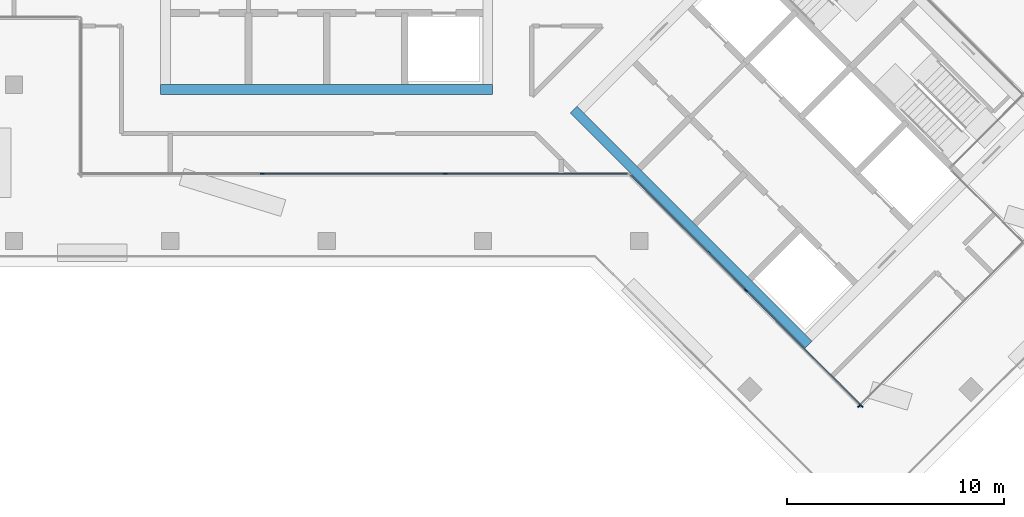
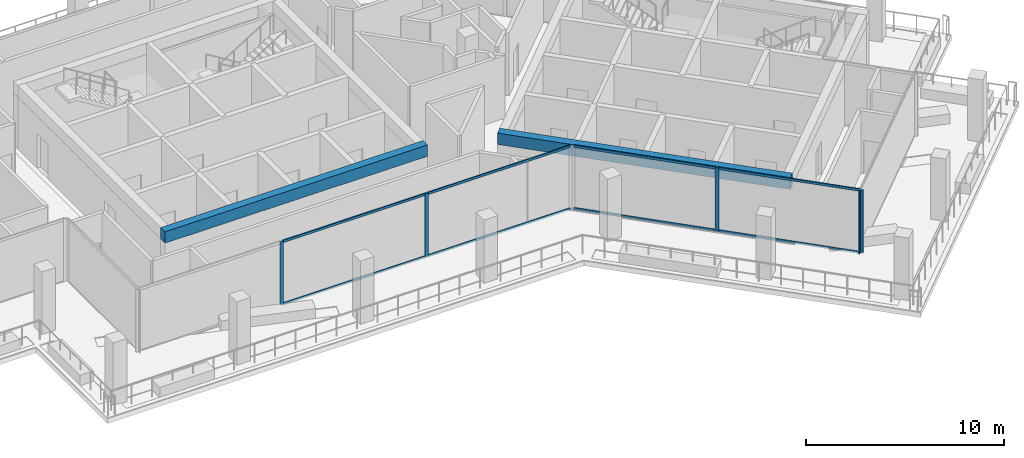
# One storey, part 3 of 20: 13 members, 2 beams, 3 elements without a shape of their own.
"""IFC4 building model written with IfcOpenShell, lengths in metres."""

from ifc_helpers import new_model, si_unit, direction, frame, origin, origin_2d, place, context, subcontext, project, spatial, rectangle, extrude, material, material_profile, profile_set, type_object, element, aggregate, save


model = new_model("IFC4")

# Units and contexts
model_context = context("Model", 3, precision=1e-05, world=origin(), true_north=direction((0.0, 1.0)))
body_context = subcontext(model_context, "Body", "Model", "MODEL_VIEW")
ifc_project = project(units=[si_unit("LENGTHUNIT", "METRE"), si_unit("AREAUNIT", "SQUARE_METRE"), si_unit("VOLUMEUNIT", "CUBIC_METRE"), si_unit("PLANEANGLEUNIT", "RADIAN"), si_unit("MASSUNIT", "GRAM", prefix="KILO")], contexts=[model_context])

# Site, building, storey
site_placement = place(None, origin())
site = spatial("IfcSite", under=ifc_project, at=site_placement, CompositionType="ELEMENT")
building_placement = place(site_placement, origin())
building = spatial("IfcBuilding", under=site, at=building_placement, Name="Windrow Commons", CompositionType="ELEMENT")
storey_placement = place(building_placement, frame((0.0, 0.0, 239.6)))
storey = spatial("IfcBuildingStorey", under=building, at=storey_placement, Name="L65", CompositionType="ELEMENT", Elevation=239.6)

# Curtain wall, members
ifc_material_1 = material(Name="Clear laminated glass in Aluminium 6063-T6 anodised frame", Category="aluminium")
curtain_wall_type = type_object("IfcCurtainWallType", Name="Curtain wall CW2H sky lounge upper", PredefinedType="USERDEFINED", material=ifc_material_1)
placement = place(storey_placement, origin())
curtain_wall_1 = element("IfcCurtainWall", 1, at=placement, inside=storey, type_object=curtain_wall_type, Name="Curtain wall CW2H L65 12", ObjectType="UNITISED", PredefinedType="USERDEFINED")
ifc_material_2 = material(Name="Aluminium 6063-T6", Category="aluminium")
ifc_material_profile_1 = material_profile(ifc_material_2, rectangle(XDim=0.06, YDim=0.2, at=origin_2d()))
ifc_profile_set_1 = profile_set([ifc_material_profile_1], Name="Aluminium 6063-T6")
member_type_1 = type_object("IfcMemberType", Name="CW2H mullion 60x200", PredefinedType="MULLION", material=ifc_profile_set_1)
member_1_placement = place(storey_placement, frame((61.8319, 46.3, 0.0), z_axis=(0.0, 0.0, 1.0), x_axis=(0.0, 1.0, 0.0)))
member_1 = element("IfcMember", 2, at=member_1_placement, type_object=member_type_1, Name="CW2H mullion 2", PredefinedType="MULLION", context=body_context, shape_type="SweptSolid", body=[
    extrude(rectangle(XDim=0.06, YDim=0.2, at=origin_2d()), origin(), (0.0, 0.0, 1.0), 3.9),
])
member_2_placement = place(storey_placement, frame((70.2637, 46.3, 0.0), z_axis=(0.0, 0.0, 1.0), x_axis=(0.0, 1.0, 0.0)))
member_2 = element("IfcMember", 3, at=member_2_placement, type_object=member_type_1, Name="CW2H mullion 3", PredefinedType="MULLION", context=body_context, shape_type="SweptSolid", body=[
    extrude(rectangle(XDim=0.06, YDim=0.2, at=origin_2d()), origin(), (0.0, 0.0, 1.0), 3.9),
])

curtain_wall_2 = element("IfcCurtainWall", 4, at=placement, inside=storey, type_object=curtain_wall_type, Name="Curtain wall CW2H L65 13", ObjectType="UNITISED", PredefinedType="USERDEFINED")
member_3_placement = place(storey_placement, frame((84.1097, 40.9274, 0.0), z_axis=(0.0, 0.0, 1.0), x_axis=(0.7071067812, 0.7071067812, 0.0)))
member_3 = element("IfcMember", 5, at=member_3_placement, type_object=member_type_1, Name="CW2H mullion 2", PredefinedType="MULLION", context=body_context, shape_type="SweptSolid", body=[
    extrude(rectangle(XDim=0.06, YDim=0.2, at=origin_2d()), origin(), (0.0, 0.0, 1.0), 3.9),
])
member_4_placement = place(storey_placement, frame((89.4318, 35.6052, 0.0), z_axis=(0.0, 0.0, 1.0), x_axis=(0.7071067812, 0.7071067812, 0.0)))
member_4 = element("IfcMember", 6, at=member_4_placement, type_object=member_type_1, Name="CW2H mullion 3", PredefinedType="MULLION", context=body_context, shape_type="SweptSolid", body=[
    extrude(rectangle(XDim=0.06, YDim=0.2, at=origin_2d()), origin(), (0.0, 0.0, 1.0), 3.9),
])

# Curtain wall, member
curtain_wall_3 = element("IfcCurtainWall", 7, at=placement, inside=storey, type_object=curtain_wall_type, Name="Curtain wall CW2H L65 14", ObjectType="UNITISED", PredefinedType="USERDEFINED")
member_5_placement = place(storey_placement, frame((89.3328, 35.6052, 0.0), z_axis=(0.0, 0.0, 1.0), x_axis=(-0.7071021515, 0.7071114108, 0.0)))
member_5 = element("IfcMember", 8, at=member_5_placement, type_object=member_type_1, Name="CW2H mullion 1", PredefinedType="MULLION", context=body_context, shape_type="SweptSolid", body=[
    extrude(rectangle(XDim=0.06, YDim=0.2, at=origin_2d()), origin(), (0.0, 0.0, 1.0), 3.9),
])
aggregate(curtain_wall_3, [member_5])

# Member
ifc_material_3 = material(Name="Aluminium 6063-T6", Category="aluminium")
ifc_material_profile_2 = material_profile(ifc_material_3, rectangle(XDim=0.06, YDim=0.15, at=origin_2d()))
ifc_profile_set_2 = profile_set([ifc_material_profile_2], Name="Aluminium 6063-T6")
member_type_2 = type_object("IfcMemberType", Name="CW2H transom 60x150", PredefinedType="USERDEFINED", material=ifc_profile_set_2)
member_6_placement = place(storey_placement, frame((61.8619, 46.3, 0.03), z_axis=(1.0, 0.0, 0.0), x_axis=(0.0, 1.0, 0.0)))
member_6 = element("IfcMember", 9, at=member_6_placement, type_object=member_type_2, Name="CW2H transom 2.1", ObjectType="TRANSOM", PredefinedType="USERDEFINED", context=body_context, shape_type="SweptSolid", body=[
    extrude(rectangle(XDim=0.06, YDim=0.15, at=origin_2d()), origin(), (0.0, 0.0, 1.0), 8.3718),
])

member_7_placement = place(storey_placement, frame((61.8619, 46.3, 3.87), z_axis=(1.0, 0.0, 0.0), x_axis=(0.0, 1.0, 0.0)))
member_7 = element("IfcMember", 10, at=member_7_placement, type_object=member_type_2, Name="CW2H transom 2.2", ObjectType="TRANSOM", PredefinedType="USERDEFINED", context=body_context, shape_type="SweptSolid", body=[
    extrude(rectangle(XDim=0.06, YDim=0.15, at=origin_2d()), origin(), (0.0, 0.0, 1.0), 8.3718),
])

member_8_placement = place(storey_placement, frame((70.2937, 46.3, 0.03), z_axis=(1.0, 0.0, 0.0), x_axis=(0.0, 1.0, 0.0)))
member_8 = element("IfcMember", 11, at=member_8_placement, type_object=member_type_2, Name="CW2H transom 3.1", ObjectType="TRANSOM", PredefinedType="USERDEFINED", context=body_context, shape_type="SweptSolid", body=[
    extrude(rectangle(XDim=0.06, YDim=0.15, at=origin_2d()), origin(), (0.0, 0.0, 1.0), 8.3419),
])

member_9_placement = place(storey_placement, frame((70.2937, 46.3, 3.87), z_axis=(1.0, 0.0, 0.0), x_axis=(0.0, 1.0, 0.0)))
member_9 = element("IfcMember", 12, at=member_9_placement, type_object=member_type_2, Name="CW2H transom 3.2", ObjectType="TRANSOM", PredefinedType="USERDEFINED", context=body_context, shape_type="SweptSolid", body=[
    extrude(rectangle(XDim=0.06, YDim=0.15, at=origin_2d()), origin(), (0.0, 0.0, 1.0), 8.3419),
])

aggregate(curtain_wall_1, [member_1, member_2, member_6, member_7, member_8, member_9])

member_10_placement = place(storey_placement, frame((78.8087, 46.2283, 0.03), z_axis=(0.7071067812, -0.7071067812, 0.0), x_axis=(0.7071067812, 0.7071067812, 0.0)))
member_10 = element("IfcMember", 13, at=member_10_placement, type_object=member_type_2, Name="CW2H transom 1.1", ObjectType="TRANSOM", PredefinedType="USERDEFINED", context=body_context, shape_type="SweptSolid", body=[
    extrude(rectangle(XDim=0.06, YDim=0.15, at=origin_2d()), origin(), (0.0, 0.0, 1.0), 7.4666),
])

member_11_placement = place(storey_placement, frame((78.8087, 46.2283, 3.87), z_axis=(0.7071067812, -0.7071067812, 0.0), x_axis=(0.7071067812, 0.7071067812, 0.0)))
member_11 = element("IfcMember", 14, at=member_11_placement, type_object=member_type_2, Name="CW2H transom 1.2", ObjectType="TRANSOM", PredefinedType="USERDEFINED", context=body_context, shape_type="SweptSolid", body=[
    extrude(rectangle(XDim=0.06, YDim=0.15, at=origin_2d()), origin(), (0.0, 0.0, 1.0), 7.4666),
])

member_12_placement = place(storey_placement, frame((84.1309, 40.9061, 0.03), z_axis=(0.7071067812, -0.7071067812, 0.0), x_axis=(0.7071067812, 0.7071067812, 0.0)))
member_12 = element("IfcMember", 15, at=member_12_placement, type_object=member_type_2, Name="CW2H transom 2.1", ObjectType="TRANSOM", PredefinedType="USERDEFINED", context=body_context, shape_type="SweptSolid", body=[
    extrude(rectangle(XDim=0.06, YDim=0.15, at=origin_2d()), origin(), (0.0, 0.0, 1.0), 7.4666),
])

member_13_placement = place(storey_placement, frame((84.1309, 40.9061, 3.87), z_axis=(0.7071067812, -0.7071067812, 0.0), x_axis=(0.7071067812, 0.7071067812, 0.0)))
member_13 = element("IfcMember", 16, at=member_13_placement, type_object=member_type_2, Name="CW2H transom 2.2", ObjectType="TRANSOM", PredefinedType="USERDEFINED", context=body_context, shape_type="SweptSolid", body=[
    extrude(rectangle(XDim=0.06, YDim=0.15, at=origin_2d()), origin(), (0.0, 0.0, 1.0), 7.4666),
])

aggregate(curtain_wall_2, [member_3, member_4, member_10, member_11, member_12, member_13])

# Beams
ifc_material_4 = material(Name="Concrete C40/50", Category="concrete")
ifc_material_profile_3 = material_profile(ifc_material_4, rectangle(XDim=0.45, YDim=0.7, at=origin_2d()))
ifc_profile_set_3 = profile_set([ifc_material_profile_3], Name="Concrete C40/50")
beam_type = type_object("IfcBeamType", Name="RC COUPLING BEAM 450x700 C40/50", PredefinedType="LINTEL", material=ifc_profile_set_3)
for number, where, z_axis, x_axis, name in (
    (17, (57.15, 50.175, 3.55), (1.0, 0.0, 0.0), (0.0, 1.0, 0.0), "Core A coupling beam outer-S"),
    (18, (76.1771, 49.2488, 3.55), (0.7071100491, -0.7071035132, 0.0), (0.7071035132, 0.7071100491, 0.0), "Core B coupling beam outer-S"),
):
    element("IfcBeam", number, at=place(storey_placement, frame(where, z_axis=z_axis, x_axis=x_axis)), inside=storey, type_object=beam_type, Name=name, PredefinedType="LINTEL", context=body_context, shape_type="SweptSolid", body=[
        extrude(rectangle(XDim=0.45, YDim=0.7, at=origin_2d()), origin(), (0.0, 0.0, 1.0), 15.3),
    ])

save(model, "model.ifc")
